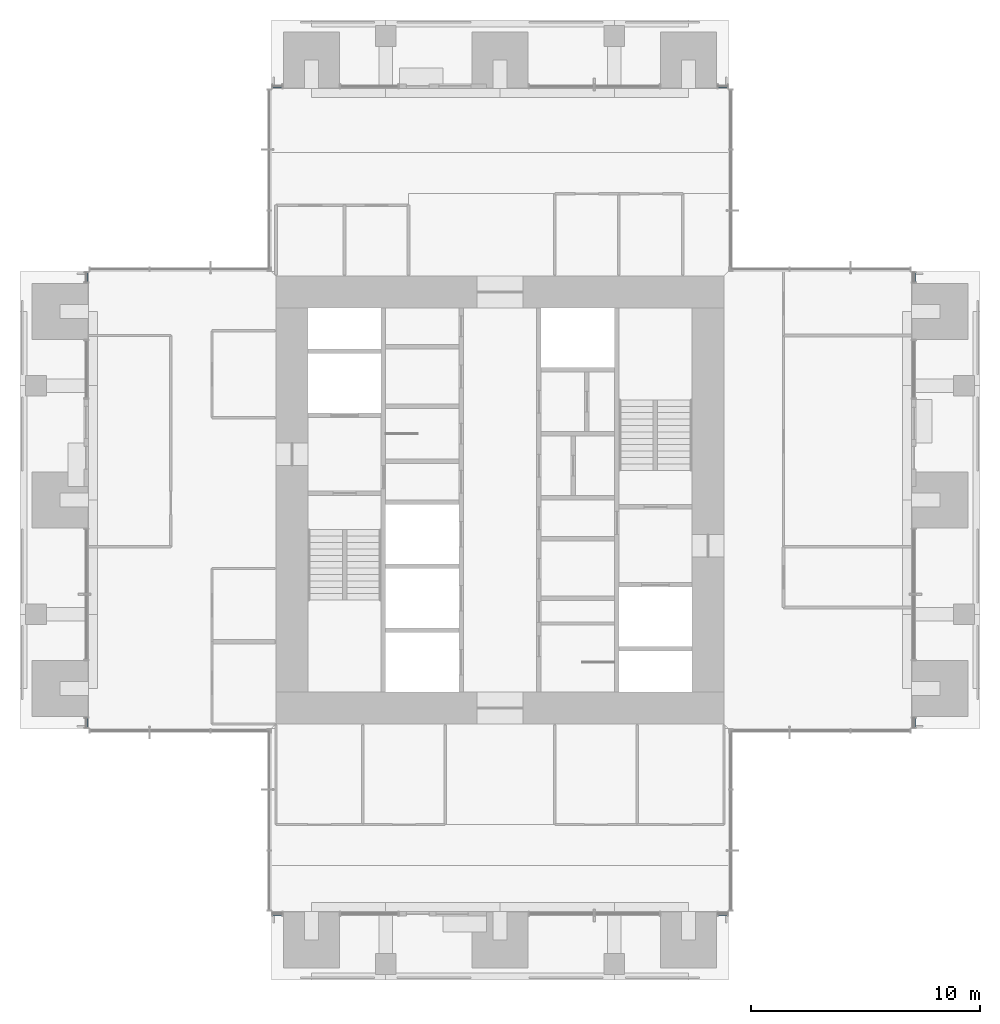
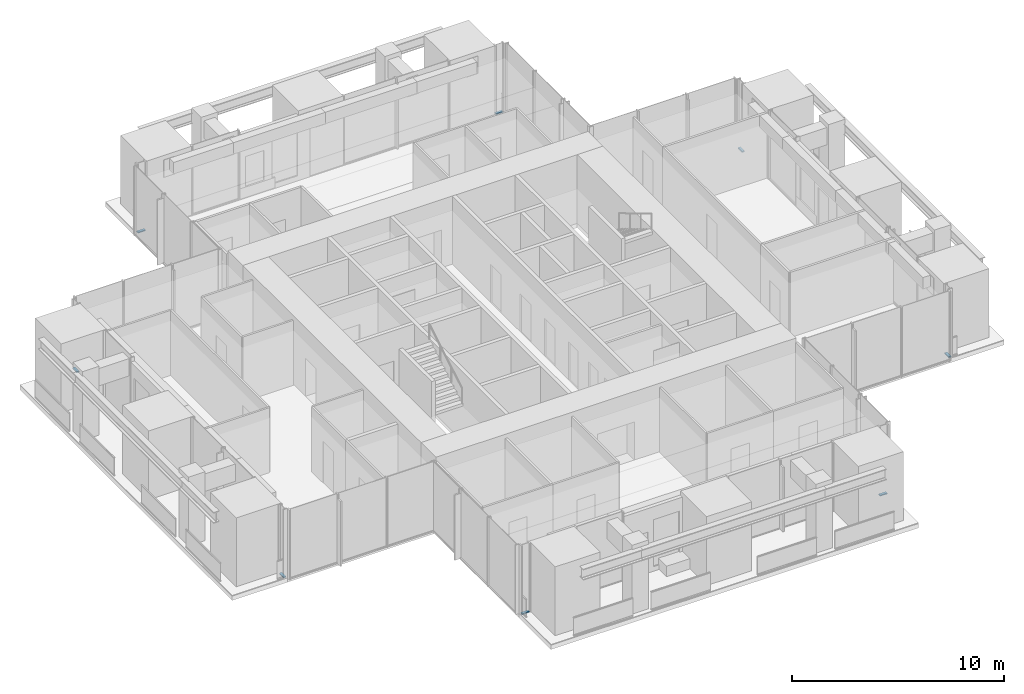
# One storey, part 6 of 17: 8 members, 8 elements without a shape of their own.
"""IFC4 building model written with IfcOpenShell, lengths in metres."""

from ifc_helpers import new_model, si_unit, direction, frame, origin, origin_2d, place, context, subcontext, project, spatial, rectangle, extrude, material, material_profile, profile_set, type_object, element, aggregate, save


model = new_model("IFC4")

# Units and contexts
model_context = context("Model", 3, precision=1e-05, world=origin(), true_north=direction((0.0, 1.0)))
body_context = subcontext(model_context, "Body", "Model", "MODEL_VIEW")
ifc_project = project(units=[si_unit("LENGTHUNIT", "METRE"), si_unit("AREAUNIT", "SQUARE_METRE"), si_unit("VOLUMEUNIT", "CUBIC_METRE"), si_unit("PLANEANGLEUNIT", "RADIAN"), si_unit("MASSUNIT", "GRAM", prefix="KILO")], contexts=[model_context])

# Site, building, storey
site_placement = place(None, origin())
site = spatial("IfcSite", under=ifc_project, at=site_placement, CompositionType="ELEMENT")
building_placement = place(site_placement, origin())
building = spatial("IfcBuilding", under=site, at=building_placement, Name="Svetlomir Tower", CompositionType="ELEMENT")
storey_placement = place(building_placement, frame((0.0, 0.0, 206.5)))
storey = spatial("IfcBuildingStorey", under=building, at=storey_placement, Name="L49", CompositionType="ELEMENT", Elevation=206.5)

# Curtain wall, member
ifc_material_1 = material(Name="Bronze anodised aluminium curtain wall", Category="aluminium")
curtain_wall_type = type_object("IfcCurtainWallType", Name="CURTAIN WALL CW1 TOWER OFFICE", PredefinedType="NOTDEFINED", material=ifc_material_1)
curtain_wall_1_placement = place(storey_placement, origin())
curtain_wall_1 = element("IfcCurtainWall", 1, at=curtain_wall_1_placement, inside=storey, type_object=curtain_wall_type, Name="Curtain wall CW1 L49", PredefinedType="NOTDEFINED")
ifc_material_2 = material(Name="Bronze anodised aluminium", Category="aluminium")
ifc_material_profile = material_profile(ifc_material_2, rectangle(XDim=0.139892578125, YDim=0.06494140625, at=origin_2d()), Name="AL 140x65")
ifc_profile_set = profile_set([ifc_material_profile], Name="Bronze anodised aluminium 6063-T6")
member_type = type_object("IfcMemberType", Name="CW1 TRANSOM 65x140", PredefinedType="USERDEFINED", material=ifc_profile_set)
member_1_placement = place(storey_placement, frame((11.06494140625, 2.89990234375, 0.032470703125), z_axis=(1.0, 0.0, 0.0), x_axis=(0.0, 1.0, 0.0)))
member_1 = element("IfcMember", 2, at=member_1_placement, type_object=member_type, Name="CW1 transom 1.1", ObjectType="TRANSOM", PredefinedType="USERDEFINED", context=body_context, shape_type="SweptSolid", body=[
    extrude(rectangle(XDim=0.139892578125, YDim=0.06494140625, at=origin_2d()), origin(), (0.0, 0.0, 1.0), 0.39501953125),
])
aggregate(curtain_wall_1, [member_1])

curtain_wall_2_placement = place(storey_placement, origin())
curtain_wall_2 = element("IfcCurtainWall", 3, at=curtain_wall_2_placement, inside=storey, type_object=curtain_wall_type, Name="Curtain wall CW1 L49", PredefinedType="NOTDEFINED")
member_2_placement = place(storey_placement, frame((30.5400390625, 2.89990234375, 0.032470703125), z_axis=(1.0, 0.0, 0.0), x_axis=(0.0, 1.0, 0.0)))
member_2 = element("IfcMember", 4, at=member_2_placement, type_object=member_type, Name="CW1 transom 1.1", ObjectType="TRANSOM", PredefinedType="USERDEFINED", context=body_context, shape_type="SweptSolid", body=[
    extrude(rectangle(XDim=0.139892578125, YDim=0.06494140625, at=origin_2d()), origin(), (0.0, 0.0, 1.0), 0.39501953125),
])
aggregate(curtain_wall_2, [member_2])

curtain_wall_3_placement = place(storey_placement, origin())
curtain_wall_3 = element("IfcCurtainWall", 5, at=curtain_wall_3_placement, inside=storey, type_object=curtain_wall_type, Name="Curtain wall CW1 L49", PredefinedType="NOTDEFINED")
member_3_placement = place(storey_placement, frame((39.10009765625, 11.06494140625, 0.032470703125), z_axis=(0.0, 1.0, 0.0), x_axis=(-1.0, 0.0, 0.0)))
member_3 = element("IfcMember", 6, at=member_3_placement, type_object=member_type, Name="CW1 transom 1.1", ObjectType="TRANSOM", PredefinedType="USERDEFINED", context=body_context, shape_type="SweptSolid", body=[
    extrude(rectangle(XDim=0.139892578125, YDim=0.06494140625, at=origin_2d()), origin(), (0.0, 0.0, 1.0), 0.39501953125),
])
aggregate(curtain_wall_3, [member_3])

curtain_wall_4_placement = place(storey_placement, origin())
curtain_wall_4 = element("IfcCurtainWall", 7, at=curtain_wall_4_placement, inside=storey, type_object=curtain_wall_type, Name="Curtain wall CW1 L49", PredefinedType="NOTDEFINED")
member_4_placement = place(storey_placement, frame((39.10009765625, 30.5400390625, 0.032470703125), z_axis=(0.0, 1.0, 0.0), x_axis=(-1.0, 0.0, 0.0)))
member_4 = element("IfcMember", 8, at=member_4_placement, type_object=member_type, Name="CW1 transom 1.1", ObjectType="TRANSOM", PredefinedType="USERDEFINED", context=body_context, shape_type="SweptSolid", body=[
    extrude(rectangle(XDim=0.139892578125, YDim=0.06494140625, at=origin_2d()), origin(), (0.0, 0.0, 1.0), 0.39501953125),
])
aggregate(curtain_wall_4, [member_4])

curtain_wall_5_placement = place(storey_placement, origin())
curtain_wall_5 = element("IfcCurtainWall", 9, at=curtain_wall_5_placement, inside=storey, type_object=curtain_wall_type, Name="Curtain wall CW1 L49", PredefinedType="NOTDEFINED")
member_5_placement = place(storey_placement, frame((30.93505859375, 39.10009765625, 0.032470703125), z_axis=(-1.0, 0.0, 0.0), x_axis=(0.0, -1.0, 0.0)))
member_5 = element("IfcMember", 10, at=member_5_placement, type_object=member_type, Name="CW1 transom 1.1", ObjectType="TRANSOM", PredefinedType="USERDEFINED", context=body_context, shape_type="SweptSolid", body=[
    extrude(rectangle(XDim=0.139892578125, YDim=0.06494140625, at=origin_2d()), origin(), (0.0, 0.0, 1.0), 0.39501953125),
])
aggregate(curtain_wall_5, [member_5])

curtain_wall_6_placement = place(storey_placement, origin())
curtain_wall_6 = element("IfcCurtainWall", 11, at=curtain_wall_6_placement, inside=storey, type_object=curtain_wall_type, Name="Curtain wall CW1 L49", PredefinedType="NOTDEFINED")
member_6_placement = place(storey_placement, frame((11.4599609375, 39.10009765625, 0.032470703125), z_axis=(-1.0, 0.0, 0.0), x_axis=(0.0, -1.0, 0.0)))
member_6 = element("IfcMember", 12, at=member_6_placement, type_object=member_type, Name="CW1 transom 1.1", ObjectType="TRANSOM", PredefinedType="USERDEFINED", context=body_context, shape_type="SweptSolid", body=[
    extrude(rectangle(XDim=0.139892578125, YDim=0.06494140625, at=origin_2d()), origin(), (0.0, 0.0, 1.0), 0.39501953125),
])
aggregate(curtain_wall_6, [member_6])

curtain_wall_7_placement = place(storey_placement, origin())
curtain_wall_7 = element("IfcCurtainWall", 13, at=curtain_wall_7_placement, inside=storey, type_object=curtain_wall_type, Name="Curtain wall CW1 L49", PredefinedType="NOTDEFINED")
member_7_placement = place(storey_placement, frame((2.89990234375, 30.93505859375, 0.032470703125), z_axis=(0.0, -1.0, 0.0), x_axis=(1.0, 0.0, 0.0)))
member_7 = element("IfcMember", 14, at=member_7_placement, type_object=member_type, Name="CW1 transom 1.1", ObjectType="TRANSOM", PredefinedType="USERDEFINED", context=body_context, shape_type="SweptSolid", body=[
    extrude(rectangle(XDim=0.139892578125, YDim=0.06494140625, at=origin_2d()), origin(), (0.0, 0.0, 1.0), 0.39501953125),
])
aggregate(curtain_wall_7, [member_7])

curtain_wall_8_placement = place(storey_placement, origin())
curtain_wall_8 = element("IfcCurtainWall", 15, at=curtain_wall_8_placement, inside=storey, type_object=curtain_wall_type, Name="Curtain wall CW1 L49", PredefinedType="NOTDEFINED")
member_8_placement = place(storey_placement, frame((2.89990234375, 11.4599609375, 0.032470703125), z_axis=(0.0, -1.0, 0.0), x_axis=(1.0, 0.0, 0.0)))
member_8 = element("IfcMember", 16, at=member_8_placement, type_object=member_type, Name="CW1 transom 1.1", ObjectType="TRANSOM", PredefinedType="USERDEFINED", context=body_context, shape_type="SweptSolid", body=[
    extrude(rectangle(XDim=0.139892578125, YDim=0.06494140625, at=origin_2d()), origin(), (0.0, 0.0, 1.0), 0.39501953125),
])
aggregate(curtain_wall_8, [member_8])

save(model, "model.ifc")
